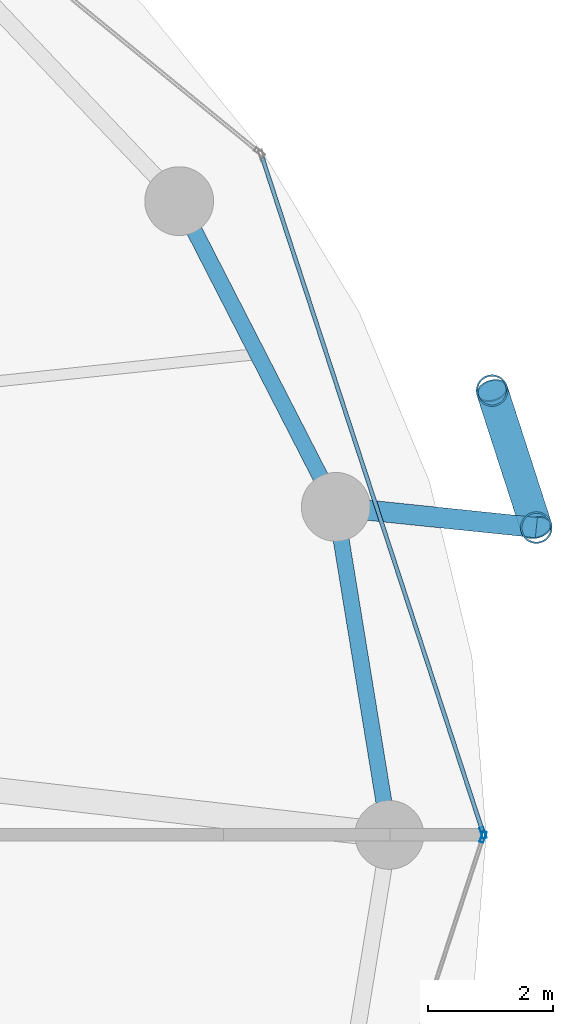
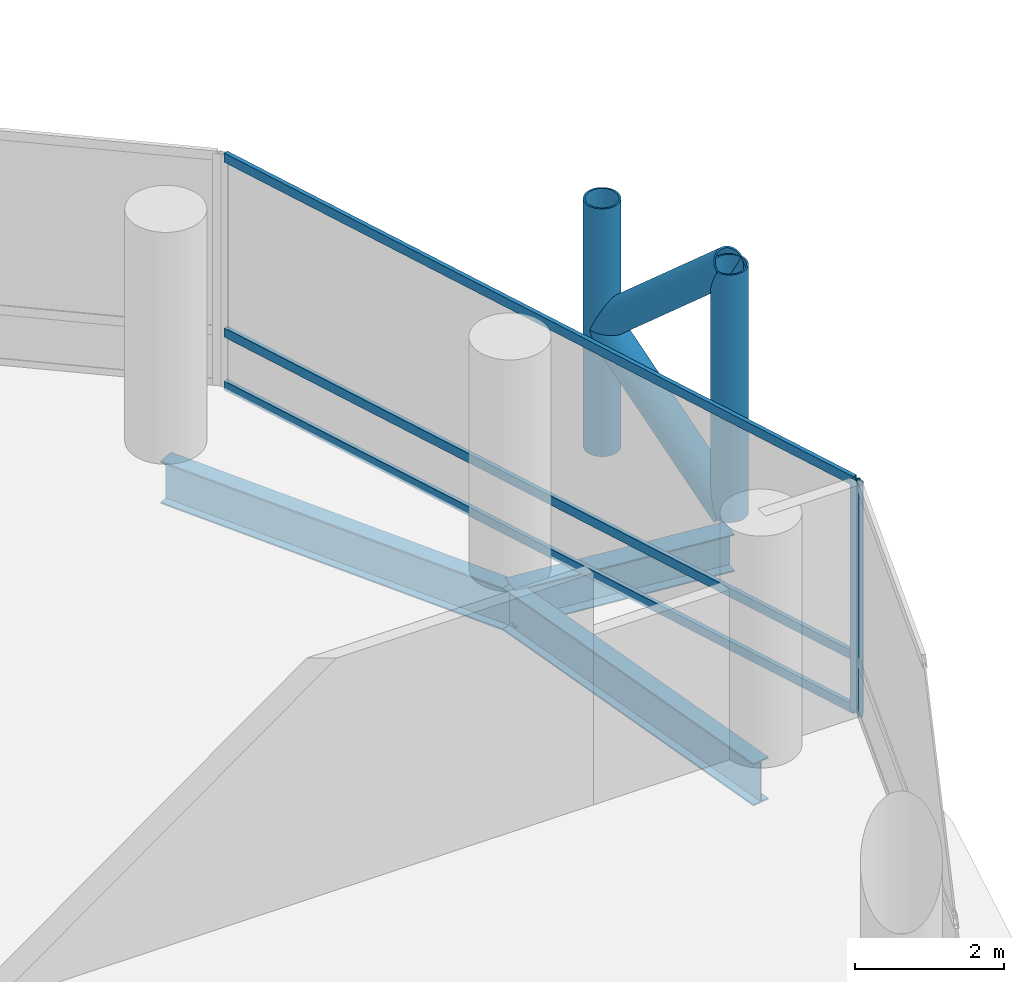
# One storey, part 12 of 24: 9 members, 3 beams, 2 elements without a shape of their own.
"""IFC4 building model written with IfcOpenShell, lengths in metres."""

from ifc_helpers import new_model, si_unit, direction, frame, origin, origin_2d, place, context, subcontext, project, spatial, hollow_rectangle, hollow_circle, i_section, extrude, material, layer, layer_set, material_profile, profile_set, type_object, element, aggregate, save


model = new_model("IFC4")

# Units and contexts
model_context = context("Model", 3, precision=1e-05, world=origin(), true_north=direction((0.0, 1.0)))
body_context = subcontext(model_context, "Body", "Model", "MODEL_VIEW")
ifc_project = project(units=[si_unit("LENGTHUNIT", "METRE"), si_unit("AREAUNIT", "SQUARE_METRE"), si_unit("VOLUMEUNIT", "CUBIC_METRE"), si_unit("PLANEANGLEUNIT", "RADIAN"), si_unit("MASSUNIT", "GRAM", prefix="KILO")], contexts=[model_context])

# Site, building, storey
site_placement = place(None, origin())
site = spatial("IfcSite", under=ifc_project, at=site_placement, CompositionType="ELEMENT")
building_placement = place(site_placement, origin())
building = spatial("IfcBuilding", under=site, at=building_placement, Name="Nuhasar Tower", CompositionType="ELEMENT")
storey_placement = place(building_placement, frame((0.0, 0.0, 25.050048828125)))
storey = spatial("IfcBuildingStorey", under=building, at=storey_placement, Name="L05", CompositionType="ELEMENT", Elevation=25.050048828125)

# Beams
ifc_material_1 = material(Name="Steel S355", Category="steel")
ifc_material_profile_1 = material_profile(ifc_material_1, i_section(OverallWidth=0.256103515625, OverallDepth=0.693115234375, WebThickness=0.014404296875, FlangeThickness=0.023681640625, at=origin_2d()), Name="W27X114")
ifc_profile_set_1 = profile_set([ifc_material_profile_1], Name="Steel S355")
beam_type_1 = type_object("IfcBeamType", Name="BM-RING-W27X114", PredefinedType="SPANDREL", material=ifc_profile_set_1)
beam_1_placement = place(storey_placement, frame((64.050048828125, 26.800048828125, -0.60595703125), z_axis=(-0.160826635486, 0.986982671235, 0.0), x_axis=(-0.986982671235, -0.160826635486, 0.0)))
element("IfcBeam", 1, at=beam_1_placement, inside=storey, type_object=beam_type_1, Name="L05 Perimeter Ring Spandrel 01", PredefinedType="SPANDREL", context=body_context, shape_type="SweptSolid", body=[
    extrude(i_section(OverallWidth=0.256103515625, OverallDepth=0.693115234375, WebThickness=0.014404296875, FlangeThickness=0.023681640625, at=origin_2d()), origin(), (0.0, 0.0, 1.0), 5.31005859375),
])
beam_2_placement = place(storey_placement, frame((63.196044921875, 32.041015625, -0.60595703125), z_axis=(-0.455930023905, 0.890015625314, 0.0), x_axis=(-0.890015625314, -0.455930023905, 0.0)))
element("IfcBeam", 2, at=beam_2_placement, inside=storey, type_object=beam_type_1, Name="L05 Perimeter Ring Spandrel 02", PredefinedType="SPANDREL", context=body_context, shape_type="SweptSolid", body=[
    extrude(i_section(OverallWidth=0.256103515625, OverallDepth=0.693115234375, WebThickness=0.014404296875, FlangeThickness=0.023681640625, at=origin_2d()), origin(), (0.0, 0.0, 1.0), 5.487548828125),
])
ifc_material_profile_2 = material_profile(ifc_material_1, i_section(OverallWidth=0.323974609375, OverallDepth=0.611083984375, WebThickness=0.0126953125, FlangeThickness=0.01904296875, at=origin_2d()), Name="W24X104")
ifc_profile_set_2 = profile_set([ifc_material_profile_2], Name="Steel S355")
beam_type_2 = type_object("IfcBeamType", Name="BM-TIE-W24X104", PredefinedType="BEAM", material=ifc_profile_set_2)
beam_3_placement = place(storey_placement, frame((63.196044921875, 32.041015625, -0.56494140625), z_axis=(0.994703825606, -0.102782777377, 0.0), x_axis=(0.102782777377, 0.994703825606, 0.0)))
element("IfcBeam", 3, at=beam_3_placement, inside=storey, type_object=beam_type_2, Name="L05 Exoskeleton Node Tie Beam 01", PredefinedType="BEAM", context=body_context, shape_type="SweptSolid", body=[
    extrude(i_section(OverallWidth=0.323974609375, OverallDepth=0.611083984375, WebThickness=0.0126953125, FlangeThickness=0.01904296875, at=origin_2d()), origin(), (0.0, 0.0, 1.0), 3.220947265625),
])

# Curtain wall, member
ifc_material_2 = material(Name="Aluminium 6063-T6", Category="aluminium")
ifc_layer = layer(ifc_material_2, 0.199951171875)
ifc_layer_set = layer_set([ifc_layer], Name="Aluminium 6063-T6")
curtain_wall_type = type_object("IfcCurtainWallType", Name="CW-Z1-OFF", PredefinedType="NOTDEFINED", material=ifc_layer_set)
curtain_wall_1_placement = place(storey_placement, origin())
curtain_wall_1 = element("IfcCurtainWall", 4, at=curtain_wall_1_placement, inside=storey, type_object=curtain_wall_type, Name="L05 Unitised Curtain Wall 01", PredefinedType="NOTDEFINED")
ifc_material_profile_3 = material_profile(ifc_material_2, hollow_rectangle(XDim=0.06494140625, YDim=0.179931640625, WallThickness=0.0048828125, at=origin_2d()), Name="CWM-2")
ifc_profile_set_3 = profile_set([ifc_material_profile_3], Name="Aluminium 6063-T6")
member_type_1 = type_object("IfcMemberType", Name="CW-MUL-S2", PredefinedType="MULLION", material=ifc_profile_set_3)
member_1_placement = place(storey_placement, frame((65.5498046875, 26.830810546875, 0.0), z_axis=(0.0, 0.0, 1.0), x_axis=(-0.950467534571, -0.310823849997, 0.0)))
member_1 = element("IfcMember", 5, at=member_1_placement, type_object=member_type_1, Name="CW-Z1 mullion 1", PredefinedType="MULLION", context=body_context, shape_type="SweptSolid", body=[
    extrude(hollow_rectangle(XDim=0.06494140625, YDim=0.179931640625, WallThickness=0.0048828125, at=origin_2d()), origin(), (0.0, 0.0, 1.0), 3.7900390625),
])

curtain_wall_2_placement = place(storey_placement, origin())
curtain_wall_2 = element("IfcCurtainWall", 6, at=curtain_wall_2_placement, inside=storey, type_object=curtain_wall_type, Name="L05 Unitised Curtain Wall 12", PredefinedType="NOTDEFINED")
member_2_placement = place(storey_placement, frame((65.5498046875, 26.76904296875, 0.0), z_axis=(0.0, 0.0, 1.0), x_axis=(-0.950467534571, 0.310823849997, 0.0)))
member_2 = element("IfcMember", 7, at=member_2_placement, type_object=member_type_1, Name="CW-Z1 mullion 2", PredefinedType="MULLION", context=body_context, shape_type="SweptSolid", body=[
    extrude(hollow_rectangle(XDim=0.06494140625, YDim=0.179931640625, WallThickness=0.0048828125, at=origin_2d()), origin(), (0.0, 0.0, 1.0), 3.7900390625),
])
aggregate(curtain_wall_2, [member_2])

# Member
ifc_material_profile_4 = material_profile(ifc_material_2, hollow_rectangle(XDim=0.06494140625, YDim=0.14990234375, WallThickness=0.00439453125, at=origin_2d()), Name="CWT-2")
ifc_profile_set_4 = profile_set([ifc_material_profile_4], Name="Aluminium 6063-T6")
member_type_2 = type_object("IfcMemberType", Name="CW-TRN-S2", PredefinedType="USERDEFINED", material=ifc_profile_set_4)
member_3_placement = place(storey_placement, frame((65.539794921875, 26.86181640625, 0.032470703125), z_axis=(-0.31082506089, 0.950467138581, 0.0), x_axis=(-0.950467138581, -0.31082506089, 0.0)))
member_3 = element("IfcMember", 8, at=member_3_placement, type_object=member_type_2, Name="CW-Z1 transom 1.1", ObjectType="TRANSOM", PredefinedType="USERDEFINED", context=body_context, shape_type="SweptSolid", body=[
    extrude(hollow_rectangle(XDim=0.06494140625, YDim=0.14990234375, WallThickness=0.00439453125, at=origin_2d()), origin(), (0.0, 0.0, 1.0), 11.31689453125),
])

member_4_placement = place(storey_placement, frame((65.539794921875, 26.86181640625, 0.89990234375), z_axis=(-0.31082506089, 0.950467138581, 0.0), x_axis=(-0.950467138581, -0.31082506089, 0.0)))
member_4 = element("IfcMember", 9, at=member_4_placement, type_object=member_type_2, Name="CW-Z1 transom 1.2", ObjectType="TRANSOM", PredefinedType="USERDEFINED", context=body_context, shape_type="SweptSolid", body=[
    extrude(hollow_rectangle(XDim=0.06494140625, YDim=0.14990234375, WallThickness=0.00439453125, at=origin_2d()), origin(), (0.0, 0.0, 1.0), 11.31689453125),
])

member_5_placement = place(storey_placement, frame((65.539794921875, 26.86181640625, 3.757568359375), z_axis=(-0.31082506089, 0.950467138581, 0.0), x_axis=(-0.950467138581, -0.31082506089, 0.0)))
member_5 = element("IfcMember", 10, at=member_5_placement, type_object=member_type_2, Name="CW-Z1 transom 1.3", ObjectType="TRANSOM", PredefinedType="USERDEFINED", context=body_context, shape_type="SweptSolid", body=[
    extrude(hollow_rectangle(XDim=0.06494140625, YDim=0.14990234375, WallThickness=0.00439453125, at=origin_2d()), origin(), (0.0, 0.0, 1.0), 11.31689453125),
])

aggregate(curtain_wall_1, [member_1, member_3, member_4, member_5])

# Members
ifc_material_3 = material(Name="Steel S460", Category="steel")
ifc_material_profile_5 = material_profile(ifc_material_3, hollow_circle(Radius=0.25390625, WallThickness=0.025390625, at=origin_2d()), Name="HSS508X25.4")
ifc_profile_set_5 = profile_set([ifc_material_profile_5], Name="Steel S460")
member_type_3 = type_object("IfcMemberType", Name="EXO-BRONZE-508", PredefinedType="BRACE", material=ifc_profile_set_5)
for number, where, z_axis, x_axis, name in (
    (11, (66.39990234375, 31.7099609375, 0.0), (0.0, 0.0, 1.0), (1.0, 0.0, 0.0), "L05 Exoskeleton Chord Column EC-01A"),
    (12, (65.69189453125, 33.89892578125, 0.0), (0.0, 0.0, 1.0), (1.0, 0.0, 0.0), "L05 Exoskeleton Chord Column EC-01B"),
):
    element("IfcMember", number, at=place(storey_placement, frame(where, z_axis=z_axis, x_axis=x_axis)), inside=storey, type_object=member_type_3, Name=name, PredefinedType="BRACE", context=body_context, shape_type="SweptSolid", body=[
        extrude(hollow_circle(Radius=0.25390625, WallThickness=0.025390625, at=origin_2d()), origin(), (0.0, 0.0, 1.0), 4.050048828125),
    ])
member_6_placement = place(storey_placement, frame((66.39990234375, 31.7099609375, 0.0), z_axis=(-0.231011836313, 0.714224870475, 0.660693851854), x_axis=(-0.951468282519, -0.307746823478, 0.0)))
element("IfcMember", 13, at=member_6_placement, inside=storey, type_object=member_type_3, Name="L05 Bronze Diagrid Brace W1-01", PredefinedType="BRACE", context=body_context, shape_type="SweptSolid", body=[
    extrude(hollow_circle(Radius=0.25390625, WallThickness=0.025390625, at=origin_2d()), origin(), (0.0, 0.0, 1.0), 3.064697265625),
])
member_7_placement = place(storey_placement, frame((65.69189453125, 33.89892578125, 2.02490234375), z_axis=(0.230999678299, -0.714187281251, 0.660738734997), x_axis=(0.951468282519, 0.307746823478, 0.0)))
element("IfcMember", 14, at=member_7_placement, inside=storey, type_object=member_type_3, Name="L05 Bronze Diagrid Brace W2-01", PredefinedType="BRACE", context=body_context, shape_type="SweptSolid", body=[
    extrude(hollow_circle(Radius=0.25390625, WallThickness=0.025390625, at=origin_2d()), origin(), (0.0, 0.0, 1.0), 3.06494140625),
])

save(model, "model.ifc")
